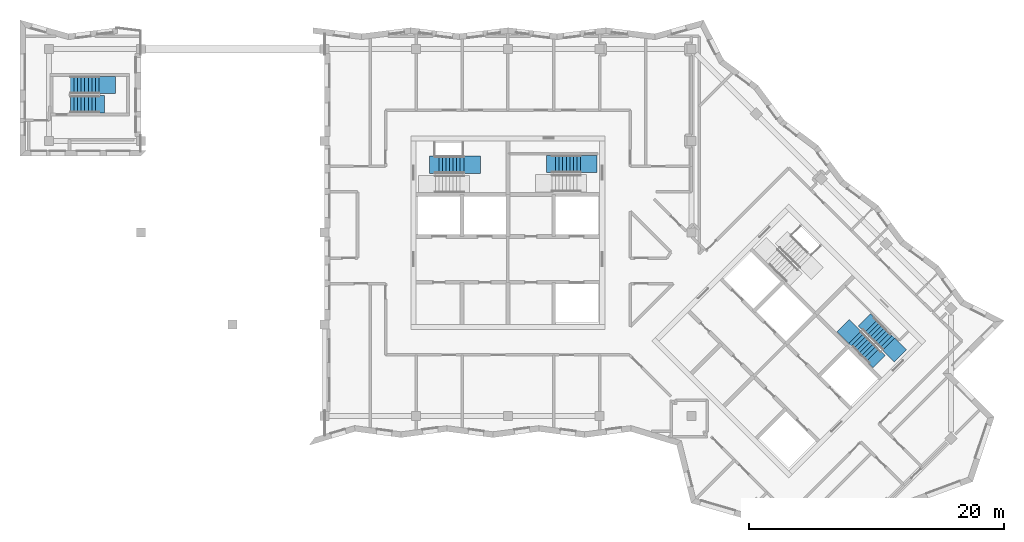
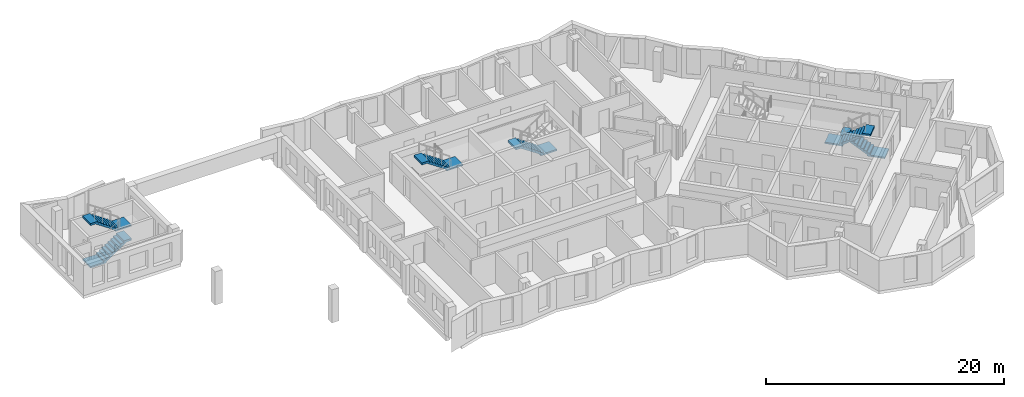
# One storey, part 9 of 13: 6 stair flights, 4 elements without a shape of their own.
"""IFC4 building model written with IfcOpenShell, lengths in metres."""

from ifc_helpers import new_model, si_unit, direction, frame, origin, place, context, subcontext, project, spatial, polyline, outline, extrude, material, type_object, element, aggregate, save


model = new_model("IFC4")

# Units and contexts
model_context = context("Model", 3, precision=1e-05, world=origin(), true_north=direction((0.0, 1.0)))
body_context = subcontext(model_context, "Body", "Model", "MODEL_VIEW")
ifc_project = project(units=[si_unit("LENGTHUNIT", "METRE"), si_unit("AREAUNIT", "SQUARE_METRE"), si_unit("VOLUMEUNIT", "CUBIC_METRE"), si_unit("PLANEANGLEUNIT", "RADIAN"), si_unit("MASSUNIT", "GRAM", prefix="KILO")], contexts=[model_context])

# Site, building, storey
site_placement = place(None, origin())
site = spatial("IfcSite", under=ifc_project, at=site_placement, CompositionType="ELEMENT")
building_placement = place(site_placement, origin())
building = spatial("IfcBuilding", under=site, at=building_placement, Name="Windrow Commons", CompositionType="ELEMENT")
storey_placement = place(building_placement, frame((0.0, 0.0, 264.2)))
storey = spatial("IfcBuildingStorey", under=building, at=storey_placement, Name="L72", CompositionType="ELEMENT", Elevation=264.2)

# Stair, stair flight
ifc_material_1 = material(Name="Concrete C40/50", Category="concrete")
stair_type = type_object("IfcStairType", Name="Core stair", PredefinedType="HALF_TURN_STAIR", material=ifc_material_1)
placement = place(storey_placement, origin())
stair_1 = element("IfcStair", 1, at=placement, inside=storey, type_object=stair_type, Name="L72 Exit stair A1 core A", PredefinedType="HALF_TURN_STAIR")
ifc_material_2 = material(Name="Concrete C40/50", Category="concrete")
stair_flight_type = type_object("IfcStairFlightType", Name="Core stair flight", PredefinedType="STRAIGHT", material=ifc_material_2)
stair_flight_1_placement = place(storey_placement, frame((61.34, 62.925, 1.7), z_axis=(0.0, 0.0, 1.0), x_axis=(-1.0, 0.0, 0.0)))
stair_flight_1 = element("IfcStairFlight", 2, at=stair_flight_1_placement, type_object=stair_flight_type, Name="ST-A1 flight 2", NumberOfRisers=9, NumberOfTreads=8, PredefinedType="STRAIGHT", RiserHeight=0.188888889, TreadLength=0.28, context=body_context, shape_type="SweptSolid", body=[
    extrude(outline(polyline([(-1.3, -0.15), (-1.3, 0.0), (0.0, 0.0), (0.0, 0.1889), (0.28, 0.1889), (0.28, 0.3778), (0.56, 0.3778), (0.56, 0.5667), (0.84, 0.5667), (0.84, 0.7556), (1.12, 0.7556), (1.12, 0.9444), (1.4, 0.9444), (1.4, 1.1333), (1.68, 1.1333), (1.68, 1.3222), (1.96, 1.3222), (1.96, 1.5111), (2.24, 1.5111), (2.69, 1.5111), (2.69, 1.3111), (2.24, 1.3111), (2.24, 1.3302), (0.2682, 0.0), (0.2682, -0.15), (-1.3, -0.15)])), frame((0.0, 0.675, 0.0), z_axis=(0.0, -1.0, 0.0), x_axis=(1.0, 0.0, 0.0)), (0.0, 0.0, 1.0), 1.35),
])
aggregate(stair_1, [stair_flight_1])

stair_2 = element("IfcStair", 3, at=placement, inside=storey, type_object=stair_type, Name="L72 Exit stair A2 core A", PredefinedType="HALF_TURN_STAIR")
stair_flight_2_placement = place(storey_placement, frame((70.5, 62.98, 0.0), z_axis=(0.0, 0.0, 1.0), x_axis=(-1.0, 0.0, 0.0)))
stair_flight_2 = element("IfcStairFlight", 4, at=stair_flight_2_placement, type_object=stair_flight_type, Name="ST-A2 flight 1", NumberOfRisers=9, NumberOfTreads=8, PredefinedType="STRAIGHT", RiserHeight=0.188888889, TreadLength=0.28, context=body_context, shape_type="SweptSolid", body=[
    extrude(outline(polyline([(-1.3, -0.15), (-1.3, 0.0), (0.0, 0.0), (0.0, 0.1889), (0.28, 0.1889), (0.28, 0.3778), (0.56, 0.3778), (0.56, 0.5667), (0.84, 0.5667), (0.84, 0.7556), (1.12, 0.7556), (1.12, 0.9444), (1.4, 0.9444), (1.4, 1.1333), (1.68, 1.1333), (1.68, 1.3222), (1.96, 1.3222), (1.96, 1.5111), (2.24, 1.5111), (2.69, 1.5111), (2.69, 1.3111), (2.24, 1.3111), (2.24, 1.3302), (0.2682, 0.0), (0.2682, -0.15), (-1.3, -0.15)])), frame((0.0, 0.675, 0.0), z_axis=(0.0, -1.0, 0.0), x_axis=(1.0, 0.0, 0.0)), (0.0, 0.0, 1.0), 1.35),
])
aggregate(stair_2, [stair_flight_2])

# Stair, stair flights
stair_3 = element("IfcStair", 5, at=placement, inside=storey, type_object=stair_type, Name="L72 Exit stair B2 core B", PredefinedType="HALF_TURN_STAIR")
stair_flight_3_placement = place(storey_placement, frame((94.6715, 48.8635, 0.0), z_axis=(0.0, 0.0, 1.0), x_axis=(-0.7071067812, 0.7071067812, 0.0)))
stair_flight_3 = element("IfcStairFlight", 6, at=stair_flight_3_placement, type_object=stair_flight_type, Name="ST-B2 flight 1", NumberOfRisers=9, NumberOfTreads=8, PredefinedType="STRAIGHT", RiserHeight=0.188888889, TreadLength=0.28, context=body_context, shape_type="SweptSolid", body=[
    extrude(outline(polyline([(-1.3, -0.15), (-1.3, 0.0), (0.0, 0.0), (0.0, 0.1889), (0.28, 0.1889), (0.28, 0.3778), (0.56, 0.3778), (0.56, 0.5667), (0.84, 0.5667), (0.84, 0.7556), (1.12, 0.7556), (1.12, 0.9444), (1.4, 0.9444), (1.4, 1.1333), (1.68, 1.1333), (1.68, 1.3222), (1.96, 1.3222), (1.96, 1.5111), (2.24, 1.5111), (2.69, 1.5111), (2.69, 1.3111), (2.24, 1.3111), (2.24, 1.3302), (0.2682, 0.0), (0.2682, -0.15), (-1.3, -0.15)])), frame((0.0, 0.675, 0.0), z_axis=(0.0, -1.0, 0.0), x_axis=(1.0, 0.0, 0.0)), (0.0, 0.0, 1.0), 1.35),
])
stair_flight_4_placement = place(storey_placement, frame((92.0269, 49.3867, 1.7), z_axis=(0.0, 0.0, 1.0), x_axis=(0.7071067812, -0.7071067812, 0.0)))
stair_flight_4 = element("IfcStairFlight", 7, at=stair_flight_4_placement, type_object=stair_flight_type, Name="ST-B2 flight 2", NumberOfRisers=9, NumberOfTreads=8, PredefinedType="STRAIGHT", RiserHeight=0.188888889, TreadLength=0.28, context=body_context, shape_type="SweptSolid", body=[
    extrude(outline(polyline([(-1.3, -0.15), (-1.3, 0.0), (0.0, 0.0), (0.0, 0.1889), (0.28, 0.1889), (0.28, 0.3778), (0.56, 0.3778), (0.56, 0.5667), (0.84, 0.5667), (0.84, 0.7556), (1.12, 0.7556), (1.12, 0.9444), (1.4, 0.9444), (1.4, 1.1333), (1.68, 1.1333), (1.68, 1.3222), (1.96, 1.3222), (1.96, 1.5111), (2.24, 1.5111), (2.69, 1.5111), (2.69, 1.3111), (2.24, 1.3111), (2.24, 1.3302), (0.2682, 0.0), (0.2682, -0.15), (-1.3, -0.15)])), frame((0.0, 0.675, 0.0), z_axis=(0.0, -1.0, 0.0), x_axis=(1.0, 0.0, 0.0)), (0.0, 0.0, 1.0), 1.35),
])
aggregate(stair_3, [stair_flight_3, stair_flight_4])

stair_4 = element("IfcStair", 8, at=placement, inside=storey, type_object=stair_type, Name="L72 Exit stair W", PredefinedType="HALF_TURN_STAIR")
stair_flight_5_placement = place(storey_placement, frame((30.475, 67.675, 0.0), z_axis=(0.0, 0.0, 1.0), x_axis=(1.0, 0.0, 0.0)))
stair_flight_5 = element("IfcStairFlight", 9, at=stair_flight_5_placement, type_object=stair_flight_type, Name="ST-W flight 1", NumberOfRisers=9, NumberOfTreads=8, PredefinedType="STRAIGHT", RiserHeight=0.188888889, TreadLength=0.28, context=body_context, shape_type="SweptSolid", body=[
    extrude(outline(polyline([(-1.3, -0.15), (-1.3, 0.0), (0.0, 0.0), (0.0, 0.1889), (0.28, 0.1889), (0.28, 0.3778), (0.56, 0.3778), (0.56, 0.5667), (0.84, 0.5667), (0.84, 0.7556), (1.12, 0.7556), (1.12, 0.9444), (1.4, 0.9444), (1.4, 1.1333), (1.68, 1.1333), (1.68, 1.3222), (1.96, 1.3222), (1.96, 1.5111), (2.24, 1.5111), (2.69, 1.5111), (2.69, 1.3111), (2.24, 1.3111), (2.24, 1.3302), (0.2682, 0.0), (0.2682, -0.15), (-1.3, -0.15)])), frame((0.0, 0.675, 0.0), z_axis=(0.0, -1.0, 0.0), x_axis=(1.0, 0.0, 0.0)), (0.0, 0.0, 1.0), 1.35),
])
stair_flight_6_placement = place(storey_placement, frame((32.715, 69.175, 1.7), z_axis=(0.0, 0.0, 1.0), x_axis=(-1.0, 0.0, 0.0)))
stair_flight_6 = element("IfcStairFlight", 10, at=stair_flight_6_placement, type_object=stair_flight_type, Name="ST-W flight 2", NumberOfRisers=9, NumberOfTreads=8, PredefinedType="STRAIGHT", RiserHeight=0.188888889, TreadLength=0.28, context=body_context, shape_type="SweptSolid", body=[
    extrude(outline(polyline([(-1.3, -0.15), (-1.3, 0.0), (0.0, 0.0), (0.0, 0.1889), (0.28, 0.1889), (0.28, 0.3778), (0.56, 0.3778), (0.56, 0.5667), (0.84, 0.5667), (0.84, 0.7556), (1.12, 0.7556), (1.12, 0.9444), (1.4, 0.9444), (1.4, 1.1333), (1.68, 1.1333), (1.68, 1.3222), (1.96, 1.3222), (1.96, 1.5111), (2.24, 1.5111), (2.69, 1.5111), (2.69, 1.3111), (2.24, 1.3111), (2.24, 1.3302), (0.2682, 0.0), (0.2682, -0.15), (-1.3, -0.15)])), frame((0.0, 0.675, 0.0), z_axis=(0.0, -1.0, 0.0), x_axis=(1.0, 0.0, 0.0)), (0.0, 0.0, 1.0), 1.35),
])
aggregate(stair_4, [stair_flight_5, stair_flight_6])

save(model, "model.ifc")
